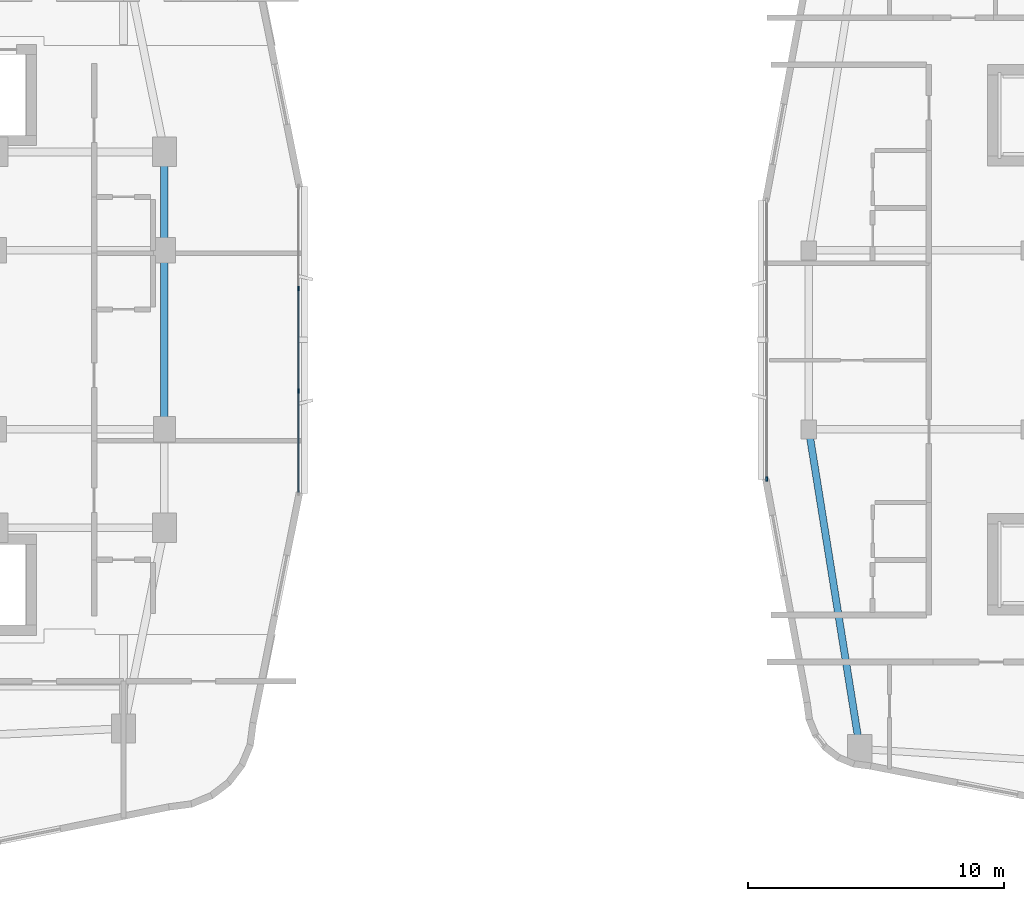
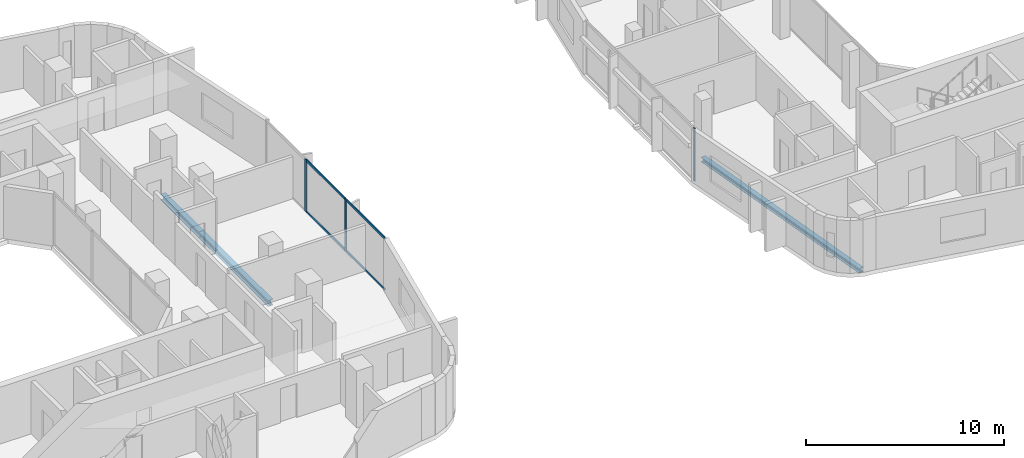
# One storey, part 5 of 26: 7 members, 3 beams, 2 elements without a shape of their own.
"""IFC4 building model written with IfcOpenShell, lengths in metres."""

from ifc_helpers import new_model, si_unit, derived_unit, direction, frame, origin, origin_2d, place, context, subcontext, project, spatial, rectangle, i_section, extrude, material, layer, layer_set, material_profile, profile_set, type_object, element, aggregate, save


model = new_model("IFC4")

# Units and contexts
model_context = context("Model", 3, precision=1e-05, world=origin(), true_north=direction((0.0, 1.0)))
body_context = subcontext(model_context, "Body", "Model", "MODEL_VIEW")
ifc_project = project(units=[si_unit("LENGTHUNIT", "METRE"), si_unit("AREAUNIT", "SQUARE_METRE"), si_unit("VOLUMEUNIT", "CUBIC_METRE"), si_unit("PLANEANGLEUNIT", "RADIAN"), si_unit("MASSUNIT", "GRAM", prefix="KILO"), derived_unit("THERMALTRANSMITTANCEUNIT", [(si_unit("POWERUNIT", "WATT"), 1), (si_unit("LENGTHUNIT", "METRE"), -2), (si_unit("THERMODYNAMICTEMPERATUREUNIT", "KELVIN"), -1)])], contexts=[model_context])

# Site, building, storey
site_placement = place(None, origin())
site = spatial("IfcSite", under=ifc_project, at=site_placement, CompositionType="ELEMENT")
building_placement = place(site_placement, origin())
building = spatial("IfcBuilding", under=site, at=building_placement, Name="Kivonza Crest Hotel", CompositionType="ELEMENT")
storey_placement = place(building_placement, frame((0.0, 0.0, 105.5)))
storey = spatial("IfcBuildingStorey", under=building, at=storey_placement, Name="L28", CompositionType="ELEMENT", Elevation=105.5)

# Beams
ifc_material_1 = material(Name="Steel S355", Category="steel")
ifc_material_profile_1 = material_profile(ifc_material_1, i_section(OverallWidth=0.280029296875, OverallDepth=0.280029296875, WebThickness=0.010498046875, FlangeThickness=0.01806640625, FilletRadius=0.02392578125, at=origin_2d()), Name="HEB 280")
ifc_profile_set_1 = profile_set([ifc_material_profile_1], Name="Steel S355")
beam_type_1 = type_object("IfcBeamType", Name="BM-HEB280", PredefinedType="SPANDREL", material=ifc_profile_set_1)
beam_1_placement = place(storey_placement, frame((61.0, 21.5, -0.389892578125), z_axis=(0.157990501107, -0.987440631917, 0.0), x_axis=(0.987440631917, 0.157990501107, 0.0)))
element("IfcBeam", 1, at=beam_1_placement, inside=storey, type_object=beam_type_1, Name="Companion Tower T2 L28 perimeter spandrel W1-SW", PredefinedType="SPANDREL", context=body_context, shape_type="SweptSolid", body=[
    extrude(i_section(OverallWidth=0.280029296875, OverallDepth=0.280029296875, WebThickness=0.010498046875, FlangeThickness=0.01806640625, FilletRadius=0.02392578125, at=origin_2d()), origin(), (0.0, 0.0, 1.0), 12.658935546875),
])
ifc_material_profile_2 = material_profile(ifc_material_1, i_section(OverallWidth=0.300048828125, OverallDepth=0.360107421875, WebThickness=0.012451171875, FlangeThickness=0.0224609375, FilletRadius=0.027099609375, at=origin_2d()), Name="HEB 360")
ifc_profile_set_2 = profile_set([ifc_material_profile_2], Name="Steel S355")
beam_type_2 = type_object("IfcBeamType", Name="BM-HEB360", PredefinedType="SPANDREL", material=ifc_profile_set_2)
beam_2_placement = place(storey_placement, frame((35.800048828125, 21.5, -0.4599609375), z_axis=(0.0, 1.0, 0.0), x_axis=(-1.0, 0.0, 0.0)))
element("IfcBeam", 2, at=beam_2_placement, inside=storey, type_object=beam_type_2, Name="Tower T1 L28 perimeter spandrel E1-E2", PredefinedType="SPANDREL", context=body_context, shape_type="SweptSolid", body=[
    extrude(i_section(OverallWidth=0.300048828125, OverallDepth=0.360107421875, WebThickness=0.012451171875, FlangeThickness=0.0224609375, FilletRadius=0.027099609375, at=origin_2d()), origin(), (0.0, 0.0, 1.0), 7.0),
])
beam_3_placement = place(storey_placement, frame((35.800048828125, 28.5, -0.4599609375), z_axis=(0.0, 1.0, 0.0), x_axis=(-1.0, 0.0, 0.0)))
element("IfcBeam", 3, at=beam_3_placement, inside=storey, type_object=beam_type_2, Name="Tower T1 L28 perimeter spandrel E2-PNE", PredefinedType="SPANDREL", context=body_context, shape_type="SweptSolid", body=[
    extrude(i_section(OverallWidth=0.300048828125, OverallDepth=0.360107421875, WebThickness=0.012451171875, FlangeThickness=0.0224609375, FilletRadius=0.027099609375, at=origin_2d()), origin(), (0.0, 0.0, 1.0), 3.85009765625),
])

# Curtain wall, members
ifc_material_2 = material(Name="Anodised bronze aluminium and low-E double glazing", Category="aluminium")
ifc_layer_1 = layer(ifc_material_2, 0.179931640625)
ifc_layer_set_1 = layer_set([ifc_layer_1], Name="Anodised bronze aluminium and low-E double glazing")
curtain_wall_type_1 = type_object("IfcCurtainWallType", Name="CW-SYS-2", PredefinedType="NOTDEFINED", material=ifc_layer_set_1)
curtain_wall_1_placement = place(storey_placement, origin())
curtain_wall_1 = element("IfcCurtainWall", 4, at=curtain_wall_1_placement, inside=storey, type_object=curtain_wall_type_1, Name="L28 unitised curtain wall CW-T1-L28-17", PredefinedType="NOTDEFINED")
ifc_material_3 = material(Name="Anodised bronze aluminium", Category="aluminium")
ifc_material_profile_3 = material_profile(ifc_material_3, rectangle(XDim=0.06494140625, YDim=0.179931640625, at=origin_2d()), Name="CW-M 65x180")
ifc_profile_set_3 = profile_set([ifc_material_profile_3], Name="Anodised bronze aluminium")
member_type_1 = type_object("IfcMemberType", Name="CW-MUL-65x180", PredefinedType="MULLION", material=ifc_profile_set_3)
member_1_placement = place(storey_placement, frame((41.0400390625, 22.993408203125, 0.0), z_axis=(0.0, 0.0, 1.0), x_axis=(-1.0, 0.0, 0.0)))
member_1 = element("IfcMember", 5, at=member_1_placement, type_object=member_type_1, Name="CW-2 mullion 2", PredefinedType="MULLION", context=body_context, shape_type="SweptSolid", body=[
    extrude(rectangle(XDim=0.06494140625, YDim=0.179931640625, at=origin_2d()), origin(), (0.0, 0.0, 1.0), 3.219970703125),
])
member_2_placement = place(storey_placement, frame((41.0400390625, 27.006591796875, 0.0), z_axis=(0.0, 0.0, 1.0), x_axis=(-1.0, 0.0, 0.0)))
member_2 = element("IfcMember", 6, at=member_2_placement, type_object=member_type_1, Name="CW-2 mullion 3", PredefinedType="MULLION", context=body_context, shape_type="SweptSolid", body=[
    extrude(rectangle(XDim=0.06494140625, YDim=0.179931640625, at=origin_2d()), origin(), (0.0, 0.0, 1.0), 3.219970703125),
])

# Curtain wall, member
ifc_layer_2 = layer(ifc_material_2, 0.179931640625)
ifc_layer_set_2 = layer_set([ifc_layer_2], Name="Anodised bronze aluminium and low-E double glazing")
curtain_wall_type_2 = type_object("IfcCurtainWallType", Name="CW-SYS-4", PredefinedType="NOTDEFINED", material=ifc_layer_set_2)
curtain_wall_2_placement = place(storey_placement, origin())
curtain_wall_2 = element("IfcCurtainWall", 7, at=curtain_wall_2_placement, inside=storey, type_object=curtain_wall_type_2, Name="L28 unitised curtain wall CW-T2-L28-35", PredefinedType="NOTDEFINED")
member_3_placement = place(storey_placement, frame((59.360107421875, 19.552490234375, 0.0), z_axis=(0.0, 0.0, 1.0), x_axis=(1.0, 0.0, 0.0)))
member_3 = element("IfcMember", 8, at=member_3_placement, type_object=member_type_1, Name="CW-4 mullion 3", PredefinedType="MULLION", context=body_context, shape_type="SweptSolid", body=[
    extrude(rectangle(XDim=0.06494140625, YDim=0.179931640625, at=origin_2d()), origin(), (0.0, 0.0, 1.0), 3.25),
])
aggregate(curtain_wall_2, [member_3])

# Member
ifc_material_profile_4 = material_profile(ifc_material_3, rectangle(XDim=0.06494140625, YDim=0.139892578125, at=origin_2d()), Name="CW-T 65x140")
ifc_profile_set_4 = profile_set([ifc_material_profile_4], Name="Anodised bronze aluminium")
member_type_2 = type_object("IfcMemberType", Name="CW-TRN-65x140", PredefinedType="USERDEFINED", material=ifc_profile_set_4)
member_4_placement = place(storey_placement, frame((41.0400390625, 19.044921875, 0.032470703125), z_axis=(0.0, 1.0, 0.0), x_axis=(-1.0, 0.0, 0.0)))
member_4 = element("IfcMember", 9, at=member_4_placement, type_object=member_type_2, Name="CW-2 transom 1.1", ObjectType="TRANSOM", PredefinedType="USERDEFINED", context=body_context, shape_type="SweptSolid", body=[
    extrude(rectangle(XDim=0.06494140625, YDim=0.139892578125, at=origin_2d()), origin(), (0.0, 0.0, 1.0), 3.916015625),
])

member_5_placement = place(storey_placement, frame((41.0400390625, 19.044921875, 3.1875), z_axis=(0.0, 1.0, 0.0), x_axis=(-1.0, 0.0, 0.0)))
member_5 = element("IfcMember", 10, at=member_5_placement, type_object=member_type_2, Name="CW-2 transom 1.2", ObjectType="TRANSOM", PredefinedType="USERDEFINED", context=body_context, shape_type="SweptSolid", body=[
    extrude(rectangle(XDim=0.06494140625, YDim=0.139892578125, at=origin_2d()), origin(), (0.0, 0.0, 1.0), 3.916015625),
])

member_6_placement = place(storey_placement, frame((41.0400390625, 23.02587890625, 0.032470703125), z_axis=(0.0, 1.0, 0.0), x_axis=(-1.0, 0.0, 0.0)))
member_6 = element("IfcMember", 11, at=member_6_placement, type_object=member_type_2, Name="CW-2 transom 2.1", ObjectType="TRANSOM", PredefinedType="USERDEFINED", context=body_context, shape_type="SweptSolid", body=[
    extrude(rectangle(XDim=0.06494140625, YDim=0.139892578125, at=origin_2d()), origin(), (0.0, 0.0, 1.0), 3.9482421875),
])

member_7_placement = place(storey_placement, frame((41.0400390625, 23.02587890625, 3.1875), z_axis=(0.0, 1.0, 0.0), x_axis=(-1.0, 0.0, 0.0)))
member_7 = element("IfcMember", 12, at=member_7_placement, type_object=member_type_2, Name="CW-2 transom 2.2", ObjectType="TRANSOM", PredefinedType="USERDEFINED", context=body_context, shape_type="SweptSolid", body=[
    extrude(rectangle(XDim=0.06494140625, YDim=0.139892578125, at=origin_2d()), origin(), (0.0, 0.0, 1.0), 3.9482421875),
])

aggregate(curtain_wall_1, [member_1, member_2, member_4, member_5, member_6, member_7])

save(model, "model.ifc")
